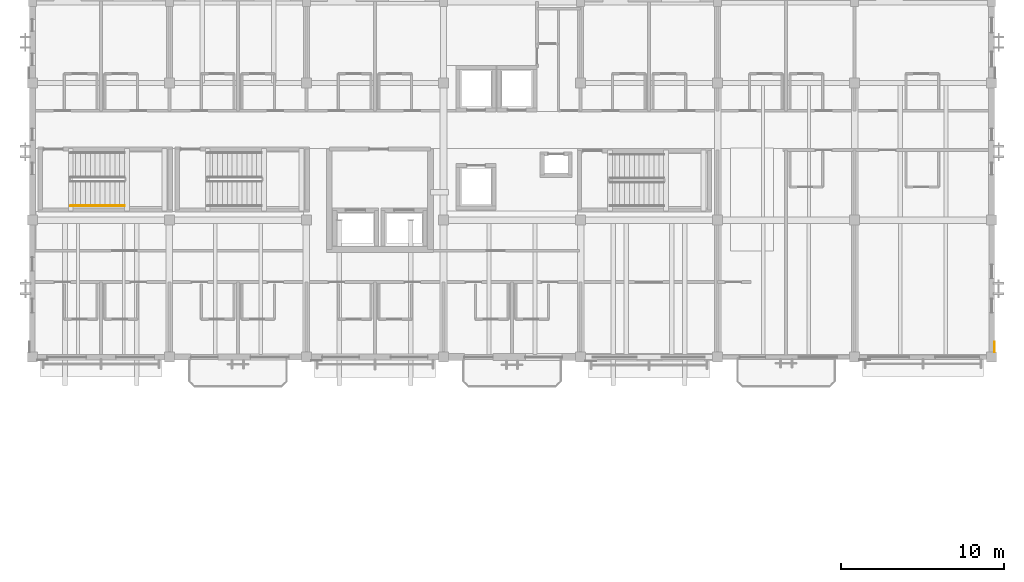
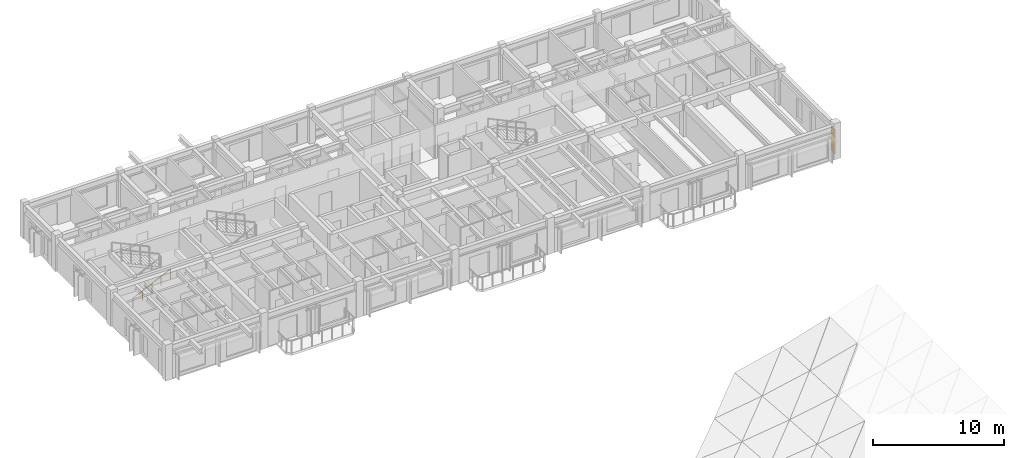
# One storey, part 27 of 31: 1 covering, 1 railing.
"""IFC4 building model written with IfcOpenShell, lengths in metres."""

from ifc_helpers import new_model, si_unit, direction, frame, origin, origin_2d, place, context, subcontext, project, spatial, polyline, circle, outline, extrude, material, layer, layer_set, type_object, element, save


model = new_model("IFC4")

# Units and contexts
model_context = context("Model", 3, precision=1e-05, world=origin(), true_north=direction((0.0, 1.0)))
body_context = subcontext(model_context, "Body", "Model", "MODEL_VIEW")
ifc_project = project(units=[si_unit("LENGTHUNIT", "METRE"), si_unit("AREAUNIT", "SQUARE_METRE"), si_unit("VOLUMEUNIT", "CUBIC_METRE"), si_unit("PLANEANGLEUNIT", "RADIAN"), si_unit("MASSUNIT", "GRAM", prefix="KILO")], contexts=[model_context])

# Site, building, storey
site_placement = place(None, origin())
site = spatial("IfcSite", under=ifc_project, at=site_placement, CompositionType="ELEMENT")
building_placement = place(site_placement, origin())
building = spatial("IfcBuilding", under=site, at=building_placement, Name="Cumbredor Promenade Congress Hotel", CompositionType="ELEMENT")
storey_placement = place(building_placement, frame((0.0, 0.0, 31.919921875)))
storey = spatial("IfcBuildingStorey", under=building, at=storey_placement, Name="L09", CompositionType="ELEMENT", Elevation=31.919921875)

# Railing
ifc_material_1 = material(Name="Brushed stainless steel", Category="steel")
railing_type = type_object("IfcRailingType", Name="Stair Pitch Handrail HR-900", PredefinedType="HANDRAIL", material=ifc_material_1)
railing_placement = place(storey_placement, frame((10.75, 101.669921875, 0.14013671875)))
element("IfcRailing", 1, at=railing_placement, inside=storey, type_object=railing_type, Name="L09 ST-01 stair handrail 1", PredefinedType="HANDRAIL", context=body_context, shape_type="SweptSolid", body=[
    extrude(circle(Radius=0.02392578125, at=origin_2d()), frame((0.0, 0.0, 0.8759765625), z_axis=(0.906181427284, 0.0, 0.422889135408), x_axis=(0.0, 1.0, 0.0)), (0.0, 0.0, 1.0), 3.6416015625),
    extrude(circle(Radius=0.02099609375, at=origin_2d()), origin(), (0.0, 0.0, 1.0), 0.851806640625),
    extrude(circle(Radius=0.02099609375, at=origin_2d()), frame((0.824951171875, 0.0, 0.385009765625)), (0.0, 0.0, 1.0), 0.851806640625),
    extrude(circle(Radius=0.02099609375, at=origin_2d()), frame((1.64990234375, 0.0, 0.77001953125)), (0.0, 0.0, 1.0), 0.851806640625),
    extrude(circle(Radius=0.02099609375, at=origin_2d()), frame((2.47509765625, 0.0, 1.155029296875)), (0.0, 0.0, 1.0), 0.851806640625),
    extrude(circle(Radius=0.02099609375, at=origin_2d()), frame((3.300048828125, 0.0, 1.5400390625)), (0.0, 0.0, 1.0), 0.851806640625),
])

# Covering
ifc_material_2 = material(Name="Volcanic andesite ashlar cladding", Category="masonry")
ifc_layer = layer(ifc_material_2, 0.034912109375, Name="Volcanic andesite ashlar cladding", Category="masonry")
ifc_layer_set = layer_set([ifc_layer], Name="Volcanic andesite ashlar cladding")
covering_type = type_object("IfcCoveringType", Name="Volcanic Andesite Ashlar Rainscreen Cladding 35mm", PredefinedType="CLADDING", material=ifc_layer_set)
covering_placement = place(storey_placement, origin())
element("IfcCovering", 2, at=covering_placement, inside=storey, type_object=covering_type, Name="L09 Facade Stone Cladding Pier 253", PredefinedType="CLADDING", context=body_context, shape_type="SweptSolid", body=[
    extrude(outline(polyline([(67.362548828125, 92.700927734375), (67.362548828125, 93.35107421875), (67.3974609375, 93.35107421875), (67.3974609375, 92.700927734375), (67.362548828125, 92.700927734375)])), origin(), (0.0, 0.0, 1.0), 2.25),
])

save(model, "model.ifc")
